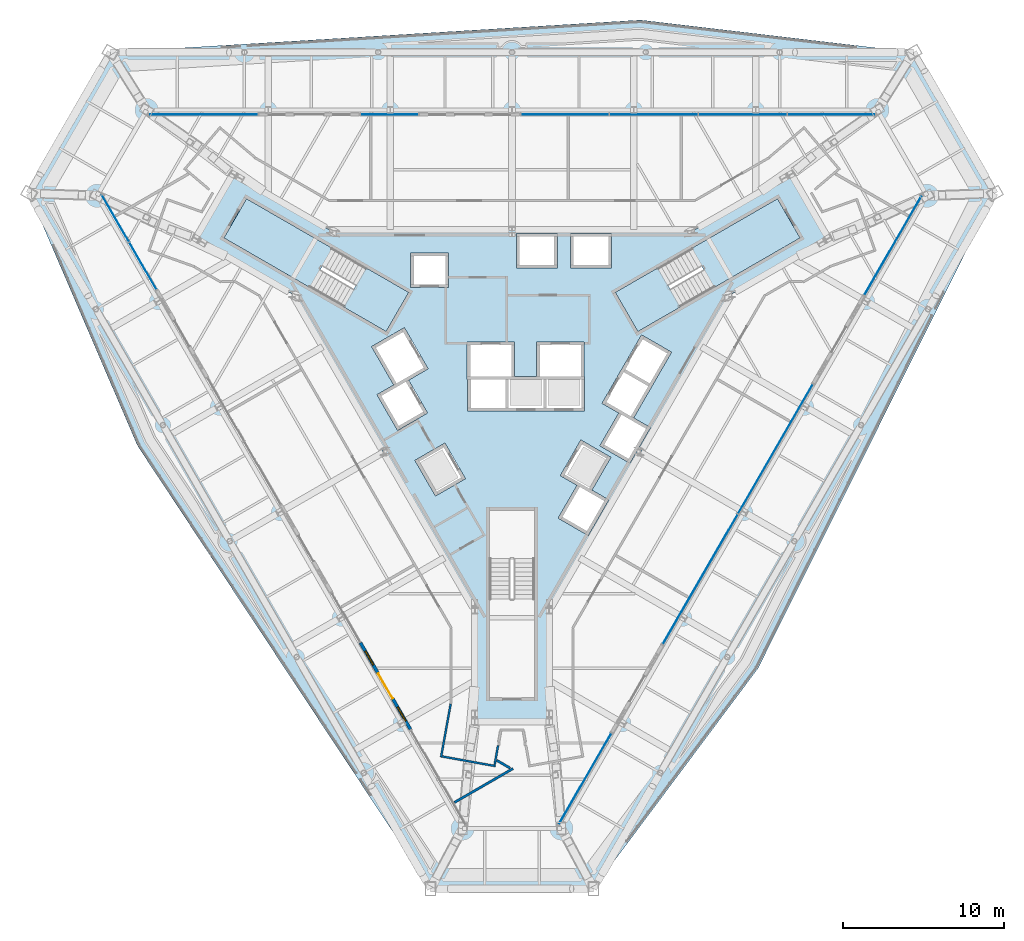
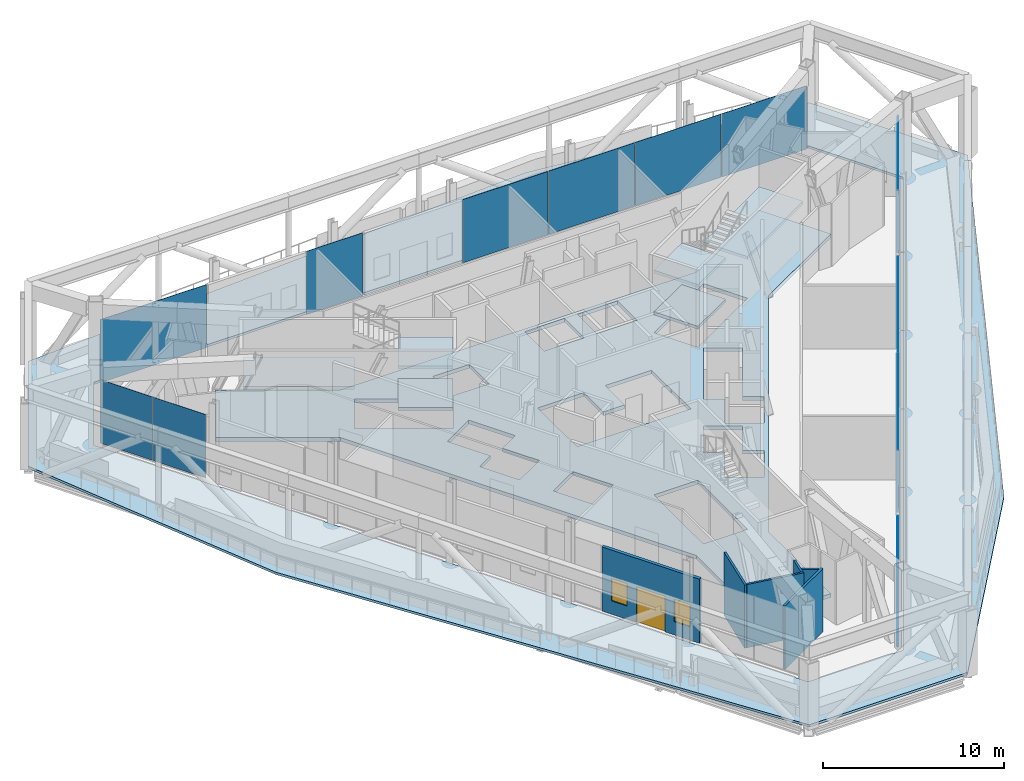
# One storey, part 14 of 25: 12 plates, 8 slabs, 6 walls, 2 windows, 1 door, 3 openings, 9 elements without a shape of their own.
"""IFC4 building model written with IfcOpenShell, lengths in metres."""

import ifcopenshell
import ifcopenshell.guid

model = None  # the IFC model being written
_history = None  # IfcOwnerHistory: only IFC2X3 demands one
_inside = {}  # id of a spatial element -> (the spatial element, [elements in it])
_under = {}  # id of a project, library or spatial element -> (it, [spatial elements below it])
_declared = {}  # id of a project -> (the project, [libraries it declares])
_typed = {}  # id of a type object -> (the type object, [elements of that type])
_made_of = {}  # id of a material, layer set ... -> (it, [elements and type objects made of it])


def new_model(schema):
    """Start an empty IFC model of exactly this schema.

    Asked for "IFC4X3", IfcOpenShell would pick the latest addendum, in which some entities
    have other attributes; the version numbers below select the first issue.
    IFC2X3 requires an IfcOwnerHistory on every rooted entity: one is made here for all.
    """
    global model, _history
    if schema == "IFC4X3":
        model = ifcopenshell.file(schema_version=(4, 3, 0, 0))
    else:
        model = ifcopenshell.file(schema=schema)
    _inside.clear()
    _under.clear()
    _declared.clear()
    _typed.clear()
    _made_of.clear()
    _history = None
    if model.schema == "IFC2X3":
        org = make("IfcOrganization", Name="unknown")
        user = make(
            "IfcPersonAndOrganization",
            ThePerson=make("IfcPerson", FamilyName="unknown"),
            TheOrganization=org,
        )
        app = make(
            "IfcApplication",
            ApplicationDeveloper=org,
            Version="unknown",
            ApplicationFullName="unknown",
            ApplicationIdentifier="unknown",
        )
        _history = make(
            "IfcOwnerHistory",
            OwningUser=user,
            OwningApplication=app,
            ChangeAction="ADDED",
            CreationDate=0,
        )
    return model


def make(cls, **values):
    """One entity of the class cls with the attributes given. An attribute that is None is left unset."""
    return model.create_entity(
        cls, **{name: value for name, value in values.items() if value is not None}
    )


def rooted(cls, **values):
    """An entity with a GlobalId (a new one), such as an element, a storey or a relation."""
    return make(cls, GlobalId=ifcopenshell.guid.new(), OwnerHistory=_history, **values)


def si_unit(unit_type, name, prefix=None):
    """IfcSIUnit, for example si_unit("LENGTHUNIT", "METRE", prefix="MILLI")."""
    return make("IfcSIUnit", UnitType=unit_type, Prefix=prefix, Name=name)


def assignment(units):
    """IfcUnitAssignment: the units of a project."""
    return None if units is None else make("IfcUnitAssignment", Units=units)


def point(xyz):
    """IfcCartesianPoint."""
    return None if xyz is None else make("IfcCartesianPoint", Coordinates=xyz)


def direction(xyz):
    """IfcDirection."""
    return None if xyz is None else make("IfcDirection", DirectionRatios=xyz)


def frame(location, z_axis=None, x_axis=None):
    """IfcAxis2Placement3D, a coordinate frame: its origin and axes. An axis left out is left unset."""
    return make(
        "IfcAxis2Placement3D",
        Location=point(location),
        Axis=direction(z_axis),
        RefDirection=direction(x_axis),
    )


def frame_2d(location, x_axis=None):
    """IfcAxis2Placement2D, a coordinate frame in the plane: its origin and x axis."""
    return make(
        "IfcAxis2Placement2D", Location=point(location), RefDirection=direction(x_axis)
    )


def origin():
    """The frame at (0, 0, 0) with its axes left unset."""
    return frame((0.0, 0.0, 0.0))


def origin_2d():
    """The frame at (0, 0) in the plane with its x axis left unset."""
    return frame_2d((0.0, 0.0))


def place(relative_to, where):
    """IfcLocalPlacement: puts the frame where relative to a parent placement (None: the world)."""
    return make(
        "IfcLocalPlacement", PlacementRelTo=relative_to, RelativePlacement=where
    )


def context(
    kind, dimensions, precision=None, world=None, true_north=None, identifier=None
):
    """IfcGeometricRepresentationContext, for example the 3D "Model" context."""
    return make(
        "IfcGeometricRepresentationContext",
        ContextIdentifier=identifier,
        ContextType=kind,
        CoordinateSpaceDimension=dimensions,
        Precision=precision,
        WorldCoordinateSystem=world,
        TrueNorth=true_north,
    )


def subcontext(parent, identifier, kind, view, scale=None):
    """IfcGeometricRepresentationSubContext, for example "Body" below "Model"."""
    return make(
        "IfcGeometricRepresentationSubContext",
        ContextIdentifier=identifier,
        ContextType=kind,
        ParentContext=parent,
        TargetScale=scale,
        TargetView=view,
    )


def project(units=None, contexts=None):
    """IfcProject with its units and contexts."""
    return rooted(
        "IfcProject",
        Name="project",
        RepresentationContexts=contexts,
        UnitsInContext=assignment(units),
    )


def spatial(cls, under=None, at=None, **own):
    """A site, building, storey or space (cls), placed at a placement, below another one or the project."""
    s = rooted(cls, ObjectPlacement=at, **own)
    if under is not None:
        _under.setdefault(under.id(), (under, []))[1].append(s)
    return s


def polyline(points):
    """IfcPolyline through the points."""
    return make("IfcPolyline", Points=[point(p) for p in points])


def profile(cls, at=None, kind="AREA", **sizes):
    """A parametric profile (cls). Its sizes go by their IFC names, for example OverallWidth=200.0."""
    return make(cls, ProfileType=kind, Position=at, **sizes)


def rectangle(**sizes):
    """IfcRectangleProfileDef."""
    return profile("IfcRectangleProfileDef", **sizes)


def outline(outer, holes=None, kind="AREA"):
    """IfcArbitraryClosedProfileDef: a profile drawn as a closed curve; with holes, ...WithVoids."""
    if holes is None:
        return make("IfcArbitraryClosedProfileDef", ProfileType=kind, OuterCurve=outer)
    return make(
        "IfcArbitraryProfileDefWithVoids",
        ProfileType=kind,
        OuterCurve=outer,
        InnerCurves=holes,
    )


def extrude(swept, where, along, depth):
    """IfcExtrudedAreaSolid: the profile swept, set in the frame where, extruded along a direction by depth."""
    return make(
        "IfcExtrudedAreaSolid",
        SweptArea=swept,
        Position=where,
        ExtrudedDirection=direction(along),
        Depth=depth,
    )


def shape(context_of_items, identifier, shape_type, items):
    """IfcShapeRepresentation: the items that make up one representation, for example the "Body"."""
    return make(
        "IfcShapeRepresentation",
        ContextOfItems=context_of_items,
        RepresentationIdentifier=identifier,
        RepresentationType=shape_type,
        Items=items,
    )


def material(Name=None, Category=None):
    """IfcMaterial."""
    return make("IfcMaterial", Name=Name, Category=Category)


def layer(
    of_material, thickness, ventilated=None, Name=None, Category=None, Priority=None
):
    """IfcMaterialLayer: one layer of a wall or slab, of a material (None: an air gap)."""
    return make(
        "IfcMaterialLayer",
        Material=of_material,
        LayerThickness=thickness,
        IsVentilated=ventilated,
        Name=Name,
        Category=Category,
        Priority=Priority,
    )


def layer_set(layers, Name=None):
    """IfcMaterialLayerSet."""
    return make("IfcMaterialLayerSet", MaterialLayers=layers, LayerSetName=Name)


def made_of(thing, what):
    """Note that an element or type object is made of a material, layer set ...; save() writes the relation."""
    if what is not None:
        _made_of.setdefault(what.id(), (what, []))[1].append(thing)
    return thing


def type_object(cls, material=None, **own):
    """A type object (cls), such as IfcWallType, which elements share."""
    return made_of(rooted(cls, **own), material)


def element(
    cls,
    number,
    at=None,
    inside=None,
    cuts=None,
    type_object=None,
    material=None,
    context=None,
    identifier="Body",
    shape_type=None,
    held_by="IfcProductDefinitionShape",
    body=None,
    shapes=None,
    **own,
):
    """One element of the class cls, such as IfcWall. Its Tag is "e" and its number.

    at: its placement. inside: the storey or other place that contains it. cuts: it is an
    opening in that element (IfcRelVoidsElement). A single representation is given by context,
    identifier, shape_type and body (its items); several are given by shapes. held_by: the class
    of the entity that holds the representations. save() writes the other relations.
    """
    e = rooted(cls, Tag="e%d" % number, ObjectPlacement=at, **own)
    if body is not None:
        shapes = [shape(context, identifier, shape_type, body)]
    if shapes is not None:
        e.Representation = make(held_by, Representations=shapes)
    if inside is not None:
        _inside.setdefault(inside.id(), (inside, []))[1].append(e)
    if cuts is not None:
        rooted(
            "IfcRelVoidsElement", RelatingBuildingElement=cuts, RelatedOpeningElement=e
        )
    if type_object is not None:
        _typed.setdefault(type_object.id(), (type_object, []))[1].append(e)
    return made_of(e, material)


def fill(opening, filler):
    """IfcRelFillsElement: the door or window that sits in an opening."""
    return rooted(
        "IfcRelFillsElement",
        RelatingOpeningElement=opening,
        RelatedBuildingElement=filler,
    )


def aggregate(whole, parts):
    """IfcRelAggregates: a whole, such as a stair, and the parts it consists of."""
    return rooted("IfcRelAggregates", RelatingObject=whole, RelatedObjects=parts)


def save(model, path):
    """Write the relations noted so far, then the file.

    IfcRelAggregates (storeys below a building ...), IfcRelContainedInSpatialStructure (elements
    in a storey), IfcRelDefinesByType, IfcRelAssociatesMaterial and IfcRelDeclares: one each for
    every whole, place, type object, material and project.
    """
    for whole, parts in _under.values():
        aggregate(whole, parts)
    for where, things in _inside.values():
        rooted(
            "IfcRelContainedInSpatialStructure",
            RelatedElements=things,
            RelatingStructure=where,
        )
    for kind, things in _typed.values():
        rooted("IfcRelDefinesByType", RelatedObjects=things, RelatingType=kind)
    for what, things in _made_of.values():
        rooted("IfcRelAssociatesMaterial", RelatedObjects=things, RelatingMaterial=what)
    for by, libraries in _declared.values():
        rooted("IfcRelDeclares", RelatingContext=by, RelatedDefinitions=libraries)
    model.write(path)


model = new_model("IFC4")

# Units and contexts
model_context = context("Model", 3, precision=1e-05, world=origin(), true_north=direction((0.0, 1.0)))
body_context = subcontext(model_context, "Body", "Model", "MODEL_VIEW")
ifc_project = project(units=[si_unit("LENGTHUNIT", "METRE"), si_unit("AREAUNIT", "SQUARE_METRE"), si_unit("VOLUMEUNIT", "CUBIC_METRE"), si_unit("PLANEANGLEUNIT", "RADIAN"), si_unit("MASSUNIT", "GRAM", prefix="KILO")], contexts=[model_context])

# Site, building, storey
site_placement = place(None, origin())
site = spatial("IfcSite", under=ifc_project, at=site_placement, CompositionType="ELEMENT")
building_placement = place(site_placement, origin())
building = spatial("IfcBuilding", under=site, at=building_placement, Name="Verrane Prism Tower", CompositionType="ELEMENT")
storey_placement = place(building_placement, frame((0.0, 0.0, 143.199951171875)))
storey = spatial("IfcBuildingStorey", under=building, at=storey_placement, Name="L35", CompositionType="ELEMENT", Elevation=143.199951171875)

# Slab
ifc_material_1 = material(Name="Concrete C40/50", Category="concrete")
ifc_layer_1 = layer(ifc_material_1, 0.25)
ifc_layer_set_1 = layer_set([ifc_layer_1], Name="Core floor slab 250 concrete C40/50")
slab_type_1 = type_object("IfcSlabType", Name="Core floor slab 250 concrete C40/50", PredefinedType="FLOOR", material=ifc_layer_set_1)
slab_1_placement = place(storey_placement, frame((0.0, 0.0, -0.25)))
element("IfcSlab", 1, at=slab_1_placement, inside=storey, type_object=slab_type_1, Name="Core floor L35", PredefinedType="FLOOR", context=body_context, shape_type="SweptSolid", body=[
    extrude(outline(polyline([(13.6298828125, 5.219970703125), (19.60009765625, 8.659912109375), (17.300048828125, 12.639892578125), (11.330078125, 9.199951171875), (0.0, 9.199951171875), (-11.330078125, 9.199951171875), (-17.300048828125, 12.639892578125), (-19.60009765625, 8.659912109375), (-13.6298828125, 5.219970703125), (-7.969970703125, -4.60009765625), (-2.300048828125, -14.419921875), (-2.300048828125, -21.300048828125), (2.300048828125, -21.300048828125), (2.300048828125, -14.419921875), (7.969970703125, -4.60009765625), (13.6298828125, 5.219970703125)]), holes=[polyline([(-1.39990234375, -8.199951171875), (1.39990234375, -8.199951171875), (1.39990234375, -13.639892578125), (-1.39990234375, -13.639892578125), (-1.39990234375, -8.199951171875)]), polyline([(-2.881103515625, -6.22998046875), (-4.742919921875, -7.304931640625), (-6.01806640625, -5.096923828125), (-4.156005859375, -4.02197265625), (-2.881103515625, -6.22998046875)]), polyline([(-8.7041015625, 1.955078125), (-6.66796875, 3.1298828125), (-5.193115234375, 0.574951171875), (-6.406005859375, -0.125), (-5.23095703125, -2.159912109375), (-7.093017578125, -3.235107421875), (-8.367919921875, -1.02587890625), (-7.3291015625, -0.426025390625), (-8.7041015625, 1.955078125)]), polyline([(0.1650390625, 2.25), (0.1650390625, 0.10009765625), (1.52490234375, 0.10009765625), (1.52490234375, 2.25), (4.47509765625, 2.25), (4.47509765625, 0.10009765625), (4.4951171875, 0.10009765625), (4.4951171875, -2.050048828125), (-2.7548828125, -2.050048828125), (-2.7548828125, -0.10009765625), (-2.784912109375, -0.10009765625), (-2.784912109375, 2.25), (0.1650390625, 2.25)]), polyline([(-7.801025390625, 2.887939453125), (-12.512939453125, 5.60791015625), (-11.113037109375, 8.031982421875), (-6.40087890625, 5.31201171875), (-7.801025390625, 2.887939453125)]), polyline([(-6.284912109375, 5.610107421875), (-6.284912109375, 7.760009765625), (-3.93505859375, 7.760009765625), (-3.93505859375, 5.610107421875), (-6.284912109375, 5.610107421875)]), polyline([(4.26611328125, -3.8310546875), (6.1279296875, -4.906005859375), (4.952880859375, -6.94091796875), (5.991943359375, -7.541015625), (4.717041015625, -9.75), (2.85498046875, -8.675048828125), (4.030029296875, -6.639892578125), (2.990966796875, -6.0400390625), (4.26611328125, -3.8310546875)]), polyline([(6.614990234375, -2.162109375), (5.575927734375, -1.56201171875), (8.02587890625, 2.680908203125), (9.887939453125, 1.60595703125), (7.5380859375, -2.464111328125), (8.576904296875, -3.06396484375), (7.302001953125, -5.27197265625), (5.43994140625, -4.197021484375), (6.614990234375, -2.162109375)]), polyline([(7.801025390625, 2.887939453125), (6.40087890625, 5.31201171875), (11.113037109375, 8.031982421875), (12.512939453125, 5.60791015625), (7.801025390625, 2.887939453125)]), polyline([(2.81494140625, 8.9599609375), (2.81494140625, 6.81005859375), (0.264892578125, 6.81005859375), (0.264892578125, 8.9599609375), (2.81494140625, 8.9599609375)]), polyline([(3.625, 6.81005859375), (3.625, 8.9599609375), (6.175048828125, 8.9599609375), (6.175048828125, 6.81005859375), (3.625, 6.81005859375)])]), origin(), (0.0, 0.0, 1.0), 0.25),
])

# Curtain wall, plates
ifc_material_2 = material(Name="Aluminium framed insulated glazing", Category="aluminium")
curtain_wall_type_1 = type_object("IfcCurtainWallType", Name="Curtain wall CW-C 4200 module", PredefinedType="NOTDEFINED", material=ifc_material_2)
curtain_wall_1_placement = place(storey_placement, origin())
curtain_wall_1 = element("IfcCurtainWall", 2, at=curtain_wall_1_placement, inside=storey, type_object=curtain_wall_type_1, Name="Refuge lounge glazing south-west face L35 1", PredefinedType="NOTDEFINED")
ifc_material_3 = material(Name="Low-iron insulating glass unit", Category="glass")
ifc_layer_2 = layer(ifc_material_3, 0.02392578125)
ifc_layer_set_2 = layer_set([ifc_layer_2], Name="Glazing panel IGU 24")
plate_type_1 = type_object("IfcPlateType", Name="Glazing panel IGU 24", PredefinedType="CURTAIN_PANEL", material=ifc_layer_set_2)
plate_1_placement = place(storey_placement, frame((-24.5673828125, 9.889892578125, 0.050048828125), z_axis=(0.0, 0.0, 1.0), x_axis=(0.500001448318, -0.866024567596, 0.0)))
plate_1 = element("IfcPlate", 3, at=plate_1_placement, type_object=plate_type_1, Name="CW35.4.1 panel 1", PredefinedType="CURTAIN_PANEL", context=body_context, shape_type="SweptSolid", body=[
    extrude(rectangle(XDim=3.343017578125, YDim=0.02392578125, at=origin_2d()), origin(), (0.0, 0.0, 1.0), 4.2724609375),
])
plate_2_placement = place(storey_placement, frame((-22.870849609375, 6.951416015625, 0.050048828125), z_axis=(0.0, 0.0, 1.0), x_axis=(0.500001448318, -0.866024567596, 0.0)))
plate_2 = element("IfcPlate", 4, at=plate_2_placement, type_object=plate_type_1, Name="CW35.4.1 panel 2", PredefinedType="CURTAIN_PANEL", context=body_context, shape_type="SweptSolid", body=[
    extrude(rectangle(XDim=3.343017578125, YDim=0.02392578125, at=origin_2d()), origin(), (0.0, 0.0, 1.0), 4.2724609375),
])
aggregate(curtain_wall_1, [plate_1, plate_2])

ifc_material_4 = material(Name="Aluminium framed insulated glazing", Category="aluminium")
curtain_wall_type_2 = type_object("IfcCurtainWallType", Name="Curtain wall CW-B 5600 module", PredefinedType="NOTDEFINED", material=ifc_material_4)
curtain_wall_2_placement = place(storey_placement, origin())
curtain_wall_2 = element("IfcCurtainWall", 5, at=curtain_wall_2_placement, inside=storey, type_object=curtain_wall_type_2, Name="Refuge lounge glazing north face L35 1", PredefinedType="NOTDEFINED")
ifc_material_5 = material(Name="Low-iron insulating glass unit", Category="glass")
ifc_layer_3 = layer(ifc_material_5, 0.028076171875)
ifc_layer_set_3 = layer_set([ifc_layer_3], Name="Glazing panel IGU 28")
plate_type_2 = type_object("IfcPlateType", Name="Glazing panel IGU 28", PredefinedType="CURTAIN_PANEL", material=ifc_layer_set_3)
plate_3_placement = place(storey_placement, frame((19.79736328125, 16.3310546875, 0.06005859375), z_axis=(0.0, 0.0, 1.0), x_axis=(-1.0, 0.0, 0.0)))
plate_3 = element("IfcPlate", 6, at=plate_3_placement, type_object=plate_type_2, Name="CW35.2.1 panel 1", PredefinedType="CURTAIN_PANEL", context=body_context, shape_type="SweptSolid", body=[
    extrude(rectangle(XDim=5.42578125, YDim=0.028076171875, at=origin_2d()), origin(), (0.0, 0.0, 1.0), 4.262451171875),
])
plate_4_placement = place(storey_placement, frame((14.296630859375, 16.3310546875, 0.06005859375), z_axis=(0.0, 0.0, 1.0), x_axis=(-1.0, 0.0, 0.0)))
plate_4 = element("IfcPlate", 7, at=plate_4_placement, type_object=plate_type_2, Name="CW35.2.1 panel 2", PredefinedType="CURTAIN_PANEL", context=body_context, shape_type="SweptSolid", body=[
    extrude(rectangle(XDim=5.455810546875, YDim=0.028076171875, at=origin_2d()), origin(), (0.0, 0.0, 1.0), 4.262451171875),
])
plate_5_placement = place(storey_placement, frame((8.78076171875, 16.3310546875, 0.06005859375), z_axis=(0.0, 0.0, 1.0), x_axis=(-1.0, 0.0, 0.0)))
plate_5 = element("IfcPlate", 8, at=plate_5_placement, type_object=plate_type_2, Name="CW35.2.1 panel 3", PredefinedType="CURTAIN_PANEL", context=body_context, shape_type="SweptSolid", body=[
    extrude(rectangle(XDim=5.455810546875, YDim=0.028076171875, at=origin_2d()), origin(), (0.0, 0.0, 1.0), 4.262451171875),
])
plate_6_placement = place(storey_placement, frame((3.280029296875, 16.3310546875, 0.06005859375), z_axis=(0.0, 0.0, 1.0), x_axis=(-1.0, 0.0, 0.0)))
plate_6 = element("IfcPlate", 9, at=plate_6_placement, type_object=plate_type_2, Name="CW35.2.1 panel 4", PredefinedType="CURTAIN_PANEL", context=body_context, shape_type="SweptSolid", body=[
    extrude(rectangle(XDim=5.42578125, YDim=0.028076171875, at=origin_2d()), origin(), (0.0, 0.0, 1.0), 4.262451171875),
])
aggregate(curtain_wall_2, [plate_3, plate_4, plate_5, plate_6])

# Curtain wall, plate
curtain_wall_3_placement = place(storey_placement, origin())
curtain_wall_3 = element("IfcCurtainWall", 10, at=curtain_wall_3_placement, inside=storey, type_object=curtain_wall_type_2, Name="Refuge lounge glazing north face L35 2", PredefinedType="NOTDEFINED")
plate_7_placement = place(storey_placement, frame((-7.594970703125, 16.3310546875, 0.06005859375), z_axis=(0.0, 0.0, 1.0), x_axis=(-1.0, 0.0, 0.0)))
plate_7 = element("IfcPlate", 11, at=plate_7_placement, type_object=plate_type_2, Name="CW35.2.2 panel 1", PredefinedType="CURTAIN_PANEL", context=body_context, shape_type="SweptSolid", body=[
    extrude(rectangle(XDim=3.56396484375, YDim=0.028076171875, at=origin_2d()), origin(), (0.0, 0.0, 1.0), 4.262451171875),
])
aggregate(curtain_wall_3, [plate_7])

curtain_wall_4_placement = place(storey_placement, origin())
curtain_wall_4 = element("IfcCurtainWall", 12, at=curtain_wall_4_placement, inside=storey, type_object=curtain_wall_type_2, Name="Refuge lounge glazing north face L35 3", PredefinedType="NOTDEFINED")
plate_8_placement = place(storey_placement, frame((-19.133544921875, 16.3310546875, 0.06005859375), z_axis=(0.0, 0.0, 1.0), x_axis=(-1.0, 0.0, 0.0)))
plate_8 = element("IfcPlate", 13, at=plate_8_placement, type_object=plate_type_2, Name="CW35.2.3 panel 1", PredefinedType="CURTAIN_PANEL", context=body_context, shape_type="SweptSolid", body=[
    extrude(rectangle(XDim=6.75341796875, YDim=0.028076171875, at=origin_2d()), origin(), (0.0, 0.0, 1.0), 4.262451171875),
])
aggregate(curtain_wall_4, [plate_8])

ifc_material_6 = material(Name="Aluminium framed insulated glazing", Category="aluminium")
curtain_wall_type_3 = type_object("IfcCurtainWallType", Name="Curtain wall CW-A 8400 module", PredefinedType="NOTDEFINED", material=ifc_material_6)
curtain_wall_5_placement = place(storey_placement, origin())
curtain_wall_5 = element("IfcCurtainWall", 14, at=curtain_wall_5_placement, inside=storey, type_object=curtain_wall_type_3, Name="Refuge lounge glazing south-east face L35 1", PredefinedType="NOTDEFINED")
ifc_material_7 = material(Name="Low-iron insulating glass unit", Category="glass")
ifc_layer_4 = layer(ifc_material_7, 0.031982421875)
ifc_layer_set_4 = layer_set([ifc_layer_4], Name="Glazing panel IGU 32")
plate_type_3 = type_object("IfcPlateType", Name="Glazing panel IGU 32", PredefinedType="CURTAIN_PANEL", material=ifc_layer_set_4)
plate_9_placement = place(storey_placement, frame((4.52001953125, -24.8330078125, 0.070068359375), z_axis=(0.0, 0.0, 1.0), x_axis=(0.500001934567, 0.866024286859, 0.0)))
plate_9 = element("IfcPlate", 15, at=plate_9_placement, type_object=plate_type_3, Name="CW35.6.1 panel 1", PredefinedType="CURTAIN_PANEL", context=body_context, shape_type="SweptSolid", body=[
    extrude(rectangle(XDim=6.5087890625, YDim=0.031982421875, at=origin_2d()), origin(), (0.0, 0.0, 1.0), 4.25244140625),
])
aggregate(curtain_wall_5, [plate_9])

# Curtain wall, plates
curtain_wall_6_placement = place(storey_placement, origin())
curtain_wall_6 = element("IfcCurtainWall", 16, at=curtain_wall_6_placement, inside=storey, type_object=curtain_wall_type_3, Name="Refuge lounge glazing south-east face L35 2", PredefinedType="NOTDEFINED")
plate_10_placement = place(storey_placement, frame((11.66064453125, -12.46533203125, 0.070068359375), z_axis=(0.0, 0.0, 1.0), x_axis=(0.500001347743, 0.866024625663, 0.0)))
plate_10 = element("IfcPlate", 17, at=plate_10_placement, type_object=plate_type_3, Name="CW35.6.2 panel 1", PredefinedType="CURTAIN_PANEL", context=body_context, shape_type="SweptSolid", body=[
    extrude(rectangle(XDim=9.2529296875, YDim=0.031982421875, at=origin_2d()), origin(), (0.0, 0.0, 1.0), 4.25244140625),
])
plate_11_placement = place(storey_placement, frame((16.322021484375, -4.3916015625, 0.070068359375), z_axis=(0.0, 0.0, 1.0), x_axis=(0.500001347743, 0.866024625663, 0.0)))
plate_11 = element("IfcPlate", 18, at=plate_11_placement, type_object=plate_type_3, Name="CW35.6.2 panel 2", PredefinedType="CURTAIN_PANEL", context=body_context, shape_type="SweptSolid", body=[
    extrude(rectangle(XDim=9.2529296875, YDim=0.031982421875, at=origin_2d()), origin(), (0.0, 0.0, 1.0), 4.25244140625),
])
aggregate(curtain_wall_6, [plate_10, plate_11])

# Curtain wall, plate
curtain_wall_7_placement = place(storey_placement, origin())
curtain_wall_7 = element("IfcCurtainWall", 19, at=curtain_wall_7_placement, inside=storey, type_object=curtain_wall_type_3, Name="Refuge lounge glazing south-east face L35 3", PredefinedType="NOTDEFINED")
plate_12_placement = place(storey_placement, frame((23.6142578125, 8.239013671875, 0.070068359375), z_axis=(0.0, 0.0, 1.0), x_axis=(0.500004793849, 0.866022636037, 0.0)))
plate_12 = element("IfcPlate", 20, at=plate_12_placement, type_object=plate_type_3, Name="CW35.6.3 panel 1", PredefinedType="CURTAIN_PANEL", context=body_context, shape_type="SweptSolid", body=[
    extrude(rectangle(XDim=7.115966796875, YDim=0.031982421875, at=origin_2d()), origin(), (0.0, 0.0, 1.0), 4.25244140625),
])
aggregate(curtain_wall_7, [plate_12])

# Slab
ifc_material_8 = material(Name="Concrete C35/45", Category="concrete")
ifc_layer_5 = layer(ifc_material_8, 0.159912109375)
ifc_layer_set_5 = layer_set([ifc_layer_5], Name="Refuge terrace slab")
slab_type_2 = type_object("IfcSlabType", Name="Refuge terrace slab", PredefinedType="FLOOR", material=ifc_layer_set_5)
slab_2_placement = place(storey_placement, frame((0.0, 0.0, -0.159912109375)))
element("IfcSlab", 21, at=slab_2_placement, inside=storey, type_object=slab_type_2, Name="Refuge terrace slab L35", PredefinedType="FLOOR", context=body_context, shape_type="SweptSolid", body=[
    extrude(outline(polyline([(5.047119140625, -31.63818359375), (-5.047119140625, -31.63818359375), (-23.197265625, -4.201171875), (-29.923095703125, 11.4482421875), (-24.876220703125, 20.18994140625), (7.96044921875, 22.18994140625), (24.876220703125, 20.18994140625), (29.923095703125, 11.4482421875), (15.23681640625, -17.989013671875), (5.047119140625, -31.63818359375)]), holes=[polyline([(25.774658203125, 11.380859375), (22.743408203125, 16.631103515625), (-22.743408203125, 16.631103515625), (-25.774658203125, 11.380859375), (-3.031005859375, -28.011962890625), (3.031005859375, -28.011962890625), (25.774658203125, 11.380859375)])]), origin(), (0.0, 0.0, 1.0), 0.159912109375),
])

# Stair, slabs
ifc_material_9 = material(Name="Concrete C40/50", Category="concrete")
stair_type = type_object("IfcStairType", Name="Exit stair 1300 dog-leg precast concrete C40/50", PredefinedType="HALF_TURN_STAIR", material=ifc_material_9)
stair_1_placement = place(storey_placement, origin())
stair_1 = element("IfcStair", 22, at=stair_1_placement, inside=storey, type_object=stair_type, Name="Stair 1 L35", PredefinedType="HALF_TURN_STAIR")
ifc_material_10 = material(Name="Concrete C40/50", Category="concrete")
ifc_layer_6 = layer(ifc_material_10, 0.199951171875)
ifc_layer_set_6 = layer_set([ifc_layer_6], Name="Stair landing 200 precast concrete C40/50")
slab_type_3 = type_object("IfcSlabType", Name="Stair landing 200 precast concrete C40/50", PredefinedType="LANDING", material=ifc_layer_set_6)
slab_3_placement = place(storey_placement, frame((0.0, 0.0, 1.199951171875)))
slab_3 = element("IfcSlab", 23, at=slab_3_placement, type_object=slab_type_3, Name="Stair 1 landing 1", PredefinedType="LANDING", context=body_context, shape_type="SweptSolid", body=[
    extrude(outline(polyline([(9.0341796875, 6.83251953125), (6.4013671875, 5.3125), (7.801513671875, 2.887451171875), (10.43408203125, 4.407470703125), (9.0341796875, 6.83251953125)])), origin(), (0.0, 0.0, 1.0), 0.2001953125),
])
slab_4_placement = place(storey_placement, frame((0.0, 0.0, 2.60009765625)))
slab_4 = element("IfcSlab", 24, at=slab_4_placement, type_object=slab_type_3, Name="Stair 1 landing 2", PredefinedType="LANDING", context=body_context, shape_type="SweptSolid", body=[
    extrude(outline(polyline([(16.447265625, 11.112548828125), (11.112548828125, 8.032470703125), (12.5126953125, 5.607666015625), (17.847412109375, 8.6875), (16.447265625, 11.112548828125)])), origin(), (0.0, 0.0, 1.0), 0.199951171875),
])
slab_5_placement = place(storey_placement, frame((0.0, 0.0, 4.0)))
slab_5 = element("IfcSlab", 25, at=slab_5_placement, type_object=slab_type_3, Name="Stair 1 landing 3", PredefinedType="LANDING", context=body_context, shape_type="SweptSolid", body=[
    extrude(outline(polyline([(9.0341796875, 6.83251953125), (6.4013671875, 5.3125), (7.801513671875, 2.887451171875), (10.43408203125, 4.407470703125), (9.0341796875, 6.83251953125)])), origin(), (0.0, 0.0, 1.0), 0.199951171875),
])
aggregate(stair_1, [slab_3, slab_4, slab_5])

stair_2_placement = place(storey_placement, origin())
stair_2 = element("IfcStair", 26, at=stair_2_placement, inside=storey, type_object=stair_type, Name="Stair 2 L35", PredefinedType="HALF_TURN_STAIR")
slab_6_placement = place(storey_placement, frame((0.0, 0.0, 1.199951171875)))
slab_6 = element("IfcSlab", 27, at=slab_6_placement, type_object=slab_type_3, Name="Stair 2 landing 1", PredefinedType="LANDING", context=body_context, shape_type="SweptSolid", body=[
    extrude(outline(polyline([(-10.43408203125, 4.407470703125), (-7.801513671875, 2.887451171875), (-6.4013671875, 5.3125), (-9.0341796875, 6.83251953125), (-10.43408203125, 4.407470703125)])), origin(), (0.0, 0.0, 1.0), 0.2001953125),
])
slab_7_placement = place(storey_placement, frame((0.0, 0.0, 2.60009765625)))
slab_7 = element("IfcSlab", 28, at=slab_7_placement, type_object=slab_type_3, Name="Stair 2 landing 2", PredefinedType="LANDING", context=body_context, shape_type="SweptSolid", body=[
    extrude(outline(polyline([(-17.84716796875, 8.6875), (-12.5126953125, 5.607666015625), (-11.112548828125, 8.032470703125), (-16.447265625, 11.1123046875), (-17.84716796875, 8.6875)])), origin(), (0.0, 0.0, 1.0), 0.199951171875),
])
slab_8_placement = place(storey_placement, frame((0.0, 0.0, 4.0)))
slab_8 = element("IfcSlab", 29, at=slab_8_placement, type_object=slab_type_3, Name="Stair 2 landing 3", PredefinedType="LANDING", context=body_context, shape_type="SweptSolid", body=[
    extrude(outline(polyline([(-10.43408203125, 4.407470703125), (-7.801513671875, 2.887451171875), (-6.4013671875, 5.3125), (-9.0341796875, 6.83251953125), (-10.43408203125, 4.407470703125)])), origin(), (0.0, 0.0, 1.0), 0.199951171875),
])
aggregate(stair_2, [slab_6, slab_7, slab_8])

# Walls
ifc_material_11 = material(Name="Gypsum board partition", Category="other")
ifc_layer_7 = layer(ifc_material_11, 0.125)
ifc_layer_set_7 = layer_set([ifc_layer_7], Name="PW-125 corridor wall 1 h")
wall_type_1 = type_object("IfcWallType", Name="PW-125 corridor wall 1 h", PredefinedType="PARTITIONING", material=ifc_layer_set_7)
wall_1_placement = place(storey_placement, frame((-4.39697265625, -23.493408203125, 0.0), z_axis=(0.0, 0.0, 1.0), x_axis=(0.177428643019, 0.984133668074, 0.0)))
element("IfcWall", 30, at=wall_1_placement, inside=storey, type_object=wall_type_1, Name="Corridor wall 018", PredefinedType="PARTITIONING", context=body_context, shape_type="SweptSolid", body=[
    extrude(rectangle(XDim=3.363037109375, YDim=0.125, at=frame_2d((1.681640625, 0.0))), origin(), (0.0, 0.0, 1.0), 4.261962890625),
])
wall_2_placement = place(storey_placement, frame((-4.322021484375, -23.443603515625, 0.0), z_axis=(0.0, 0.0, 1.0), x_axis=(0.984036430709, -0.177967140331, 0.0)))
element("IfcWall", 31, at=wall_2_placement, inside=storey, type_object=wall_type_1, Name="Corridor wall 019", PredefinedType="PARTITIONING", context=body_context, shape_type="SweptSolid", body=[
    extrude(rectangle(XDim=3.345947265625, YDim=0.125, at=frame_2d((1.6728515625, 0.0))), origin(), (0.0, 0.0, 1.0), 4.261962890625),
])
wall_3_placement = place(storey_placement, frame((-1.079345703125, -23.964111328125, 0.0), z_axis=(0.0, 0.0, 1.0), x_axis=(0.177370172534, 0.984144207876, 0.0)))
element("IfcWall", 32, at=wall_3_placement, inside=storey, type_object=wall_type_1, Name="Corridor wall 022", PredefinedType="PARTITIONING", context=body_context, shape_type="SweptSolid", body=[
    extrude(rectangle(XDim=1.219482421875, YDim=0.125, at=frame_2d((0.60986328125, 0.0))), origin(), (0.0, 0.0, 1.0), 4.261962890625),
])
ifc_material_12 = material(Name="Gypsum board partition", Category="other")
ifc_layer_8 = layer(ifc_material_12, 0.14990234375)
ifc_layer_set_8 = layer_set([ifc_layer_8], Name="PW-150 demising wall 1 h")
wall_type_2 = type_object("IfcWallType", Name="PW-150 demising wall 1 h", PredefinedType="PARTITIONING", material=ifc_layer_set_8)
wall_4_placement = place(storey_placement, frame((-3.56787109375, -26.2900390625, 0.0), z_axis=(0.0, 0.0, 1.0), x_axis=(0.865999496279, 0.500044870432, 0.0)))
element("IfcWall", 33, at=wall_4_placement, inside=storey, type_object=wall_type_2, Name="Demising wall 021", PredefinedType="PARTITIONING", context=body_context, shape_type="SweptSolid", body=[
    extrude(rectangle(XDim=4.19482421875, YDim=0.14990234375, at=frame_2d((2.097412109375, 0.0))), origin(), (0.0, 0.0, 1.0), 4.261962890625),
])
wall_5_placement = place(storey_placement, frame((-0.940185546875, -23.687744140625, 0.0), z_axis=(0.0, 0.0, 1.0), x_axis=(0.866270657977, -0.499574966474, 0.0)))
element("IfcWall", 34, at=wall_5_placement, inside=storey, type_object=wall_type_2, Name="Demising wall 023", PredefinedType="PARTITIONING", context=body_context, shape_type="SweptSolid", body=[
    extrude(rectangle(XDim=0.955322265625, YDim=0.14990234375, at=frame_2d((0.4775390625, 0.0))), origin(), (0.0, 0.0, 1.0), 4.261962890625),
])

# Wall, openings, door, windows
ifc_material_13 = material(Name="Aluminium framed insulated glazing", Category="aluminium")
ifc_layer_9 = layer(ifc_material_13, 0.199951171875)
ifc_layer_set_9 = layer_set([ifc_layer_9], Name="Refuge screen wall 200")
wall_type_3 = type_object("IfcWallType", Name="Refuge screen wall 200", PredefinedType="SOLIDWALL", material=ifc_layer_set_9)
wall_6_placement = place(storey_placement, frame((-9.39111328125, -16.396484375, 0.0), z_axis=(0.0, 0.0, 1.0), x_axis=(0.500026960575, -0.86600983753, 0.0)))
wall_6 = element("IfcWall", 35, at=wall_6_placement, inside=storey, type_object=wall_type_3, Name="Refuge screen wall south-west face L35", PredefinedType="SOLIDWALL", context=body_context, shape_type="SweptSolid", body=[
    extrude(rectangle(XDim=6.199951171875, YDim=0.199951171875, at=frame_2d((3.10009765625, 0.0))), origin(), (0.0, 0.0, 1.0), 4.322509765625),
])
opening_1_placement = place(wall_6_placement, frame((0.60009765625, 0.0, 0.89990234375)))
opening_1 = element("IfcOpeningElement", 36, at=opening_1_placement, cuts=wall_6, Name="Opening W35709", PredefinedType="OPENING", context=body_context, shape_type="SweptSolid", body=[
    extrude(rectangle(XDim=1.0, YDim=1.5, at=frame_2d((0.5, 0.75))), frame((0.0, 0.10986328125, 0.0), z_axis=(0.0, -1.0, 0.0), x_axis=(1.0, 0.0, 0.0)), (0.0, 0.0, 1.0), 0.219970703125),
])
opening_2_placement = place(wall_6_placement, frame((2.199951171875, 0.0, 0.0)))
opening_2 = element("IfcOpeningElement", 37, at=opening_2_placement, cuts=wall_6, Name="Opening D35705", PredefinedType="OPENING", context=body_context, shape_type="SweptSolid", body=[
    extrude(rectangle(XDim=1.800048828125, YDim=2.39990234375, at=frame_2d((0.89990234375, 1.199951171875))), frame((0.0, 0.10986328125, 0.0), z_axis=(0.0, -1.0, 0.0), x_axis=(1.0, 0.0, 0.0)), (0.0, 0.0, 1.0), 0.219970703125),
])
opening_3_placement = place(wall_6_placement, frame((4.60009765625, 0.0, 0.89990234375)))
opening_3 = element("IfcOpeningElement", 38, at=opening_3_placement, cuts=wall_6, Name="Opening W35710", PredefinedType="OPENING", context=body_context, shape_type="SweptSolid", body=[
    extrude(rectangle(XDim=1.0, YDim=1.5, at=frame_2d((0.5, 0.75))), frame((0.0, 0.10986328125, 0.0), z_axis=(0.0, -1.0, 0.0), x_axis=(1.0, 0.0, 0.0)), (0.0, 0.0, 1.0), 0.219970703125),
])
ifc_material_14 = material(Name="Aluminium framed glazing", Category="aluminium")
door_type = type_object("IfcDoorType", Name="DR-1800x2400 double glazed garden door", OperationType="DOUBLE_DOOR_SINGLE_SWING", PredefinedType="DOOR", material=ifc_material_14)
door_placement = place(opening_2_placement, frame((1.800048828125, 0.0, 0.0), z_axis=(0.0, 0.0, 1.0), x_axis=(-1.0, 0.0, 0.0)))
door = element("IfcDoor", 39, at=door_placement, inside=storey, type_object=door_type, Name="Refuge terrace door D35705", OperationType="DOUBLE_DOOR_SINGLE_SWING", OverallHeight=2.39990234375, OverallWidth=1.800048828125, PredefinedType="DOOR", context=body_context, shape_type="SweptSolid", body=[
    extrude(rectangle(XDim=1.800048828125, YDim=2.39990234375, at=frame_2d((0.89990234375, 1.199951171875))), frame((0.0, 0.02490234375, 0.0), z_axis=(0.0, -1.0, 0.0), x_axis=(1.0, 0.0, 0.0)), (0.0, 0.0, 1.0), 0.050048828125),
])
fill(opening_2, door)
ifc_material_15 = material(Name="Aluminium framed glazing", Category="aluminium")
window_type = type_object("IfcWindowType", Name="Vent window 1000x1500 top hung", PartitioningType="SINGLE_PANEL", PredefinedType="WINDOW", material=ifc_material_15)
window_1_placement = place(opening_1_placement, origin())
window_1 = element("IfcWindow", 40, at=window_1_placement, inside=storey, type_object=window_type, Name="Vent window W35709", OverallHeight=1.5, OverallWidth=1.0, PartitioningType="SINGLE_PANEL", PredefinedType="WINDOW", context=body_context, shape_type="SweptSolid", body=[
    extrude(rectangle(XDim=1.0, YDim=1.5, at=frame_2d((0.5, 0.75))), frame((0.0, 0.030029296875, 0.0), z_axis=(0.0, -1.0, 0.0), x_axis=(1.0, 0.0, 0.0)), (0.0, 0.0, 1.0), 0.06005859375),
])
fill(opening_1, window_1)
window_2_placement = place(opening_3_placement, origin())
window_2 = element("IfcWindow", 41, at=window_2_placement, inside=storey, type_object=window_type, Name="Vent window W35710", OverallHeight=1.5, OverallWidth=1.0, PartitioningType="SINGLE_PANEL", PredefinedType="WINDOW", context=body_context, shape_type="SweptSolid", body=[
    extrude(rectangle(XDim=1.0, YDim=1.5, at=frame_2d((0.5, 0.75))), frame((0.0, 0.030029296875, 0.0), z_axis=(0.0, -1.0, 0.0), x_axis=(1.0, 0.0, 0.0)), (0.0, 0.0, 1.0), 0.06005859375),
])
fill(opening_3, window_2)

save(model, "model.ifc")
